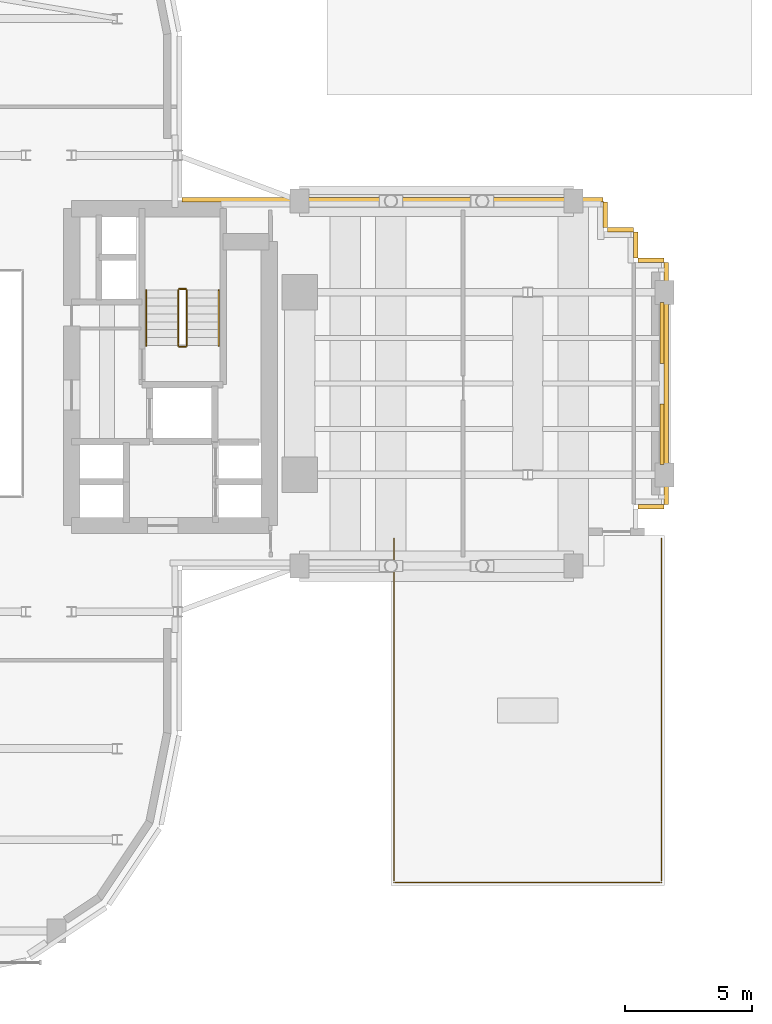
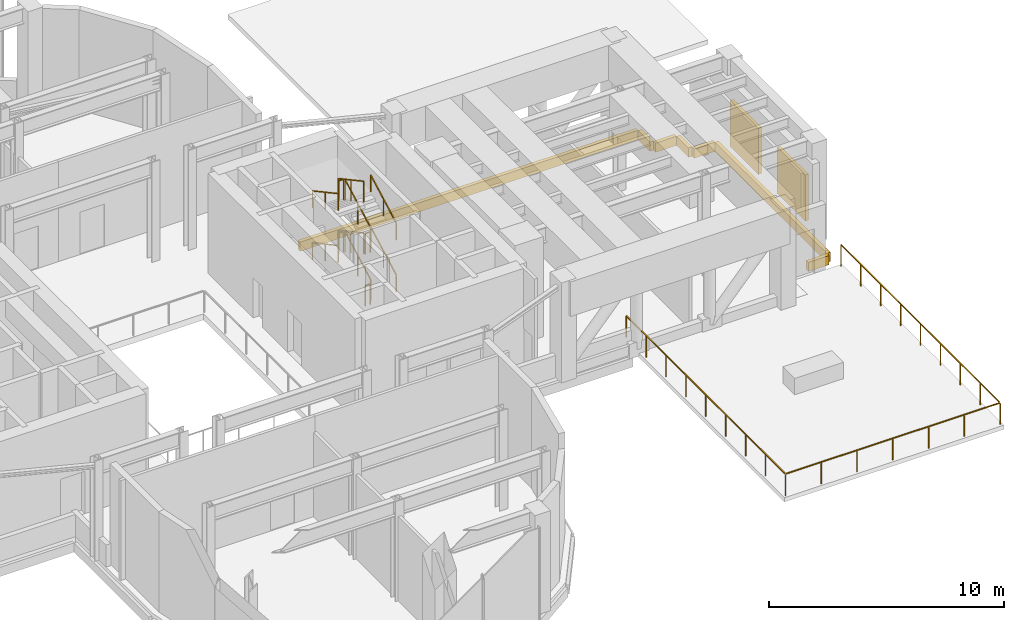
# One storey, part 14 of 16: 13 railings, 7 coverings, 2 shading devices.
"""IFC4 building model written with IfcOpenShell, lengths in metres."""

from ifc_helpers import new_model, si_unit, direction, frame, origin, origin_2d, place, context, subcontext, project, spatial, rectangle, extrude, source, transform, mapped, material, layer, layer_set, type_object, element, save


model = new_model("IFC4")

# Units and contexts
model_context = context("Model", 3, precision=1e-05, world=origin(), true_north=direction((0.0, 1.0)))
body_context = subcontext(model_context, "Body", "Model", "MODEL_VIEW")
ifc_project = project(units=[si_unit("LENGTHUNIT", "METRE"), si_unit("AREAUNIT", "SQUARE_METRE"), si_unit("VOLUMEUNIT", "CUBIC_METRE"), si_unit("PLANEANGLEUNIT", "RADIAN"), si_unit("MASSUNIT", "GRAM", prefix="KILO")], contexts=[model_context])

# Site, building, storey
site_placement = place(None, origin())
site = spatial("IfcSite", under=ifc_project, at=site_placement, CompositionType="ELEMENT")
building_placement = place(site_placement, origin())
building = spatial("IfcBuilding", under=site, at=building_placement, Name="Keilestroom Media Tower", CompositionType="ELEMENT")
storey_placement = place(building_placement, frame((0.0, 0.0, 25.199951171875)))
storey = spatial("IfcBuildingStorey", under=building, at=storey_placement, Name="L05", CompositionType="ELEMENT", Elevation=25.199951171875)

# Railings
ifc_material_1 = material(Name="Brushed Stainless Steel 1.4301", Category="steel")
railing_type_1 = type_object("IfcRailingType", Name="Stair-Pitch-Handrail-920", PredefinedType="HANDRAIL", material=ifc_material_1)
railing_1_placement = place(storey_placement, frame((11.2099609375, 1.5, 0.168701171875)))
element("IfcRailing", 1, at=railing_1_placement, inside=storey, type_object=railing_type_1, Name="L05 ST-2 stair handrail 1", PredefinedType="HANDRAIL", context=body_context, shape_type="SweptSolid", body=[
    extrude(rectangle(XDim=0.048095703125, YDim=0.048095703125, at=origin_2d()), frame((0.0, 0.0, 0.8759765625), z_axis=(0.0, 0.879569751981, 0.475769956387), x_axis=(-1.0, 0.0, 0.0)), (0.0, 0.0, 1.0), 2.483154296875),
    extrude(rectangle(XDim=0.0419921875, YDim=0.0419921875, at=origin_2d()), origin(), (0.0, 0.0, 1.0), 0.84375),
    extrude(rectangle(XDim=0.0419921875, YDim=0.0419921875, at=origin_2d()), frame((0.0, 1.092041015625, 0.5908203125)), (0.0, 0.0, 1.0), 0.84375),
    extrude(rectangle(XDim=0.0419921875, YDim=0.0419921875, at=origin_2d()), frame((0.0, 2.18408203125, 1.181396484375)), (0.0, 0.0, 1.0), 0.84375),
])
railing_2_placement = place(storey_placement, frame((8.35009765625, 3.68408203125, 1.518798828125)))
element("IfcRailing", 2, at=railing_2_placement, inside=storey, type_object=railing_type_1, Name="L05 ST-2 stair handrail 2", PredefinedType="HANDRAIL", context=body_context, shape_type="SweptSolid", body=[
    extrude(rectangle(XDim=0.048095703125, YDim=0.048095703125, at=origin_2d()), frame((0.0, 0.0, 0.8759765625), z_axis=(0.0, -0.879610894823, 0.475693886559), x_axis=(1.0, 0.0, 0.0)), (0.0, 0.0, 1.0), 2.48291015625),
    extrude(rectangle(XDim=0.0419921875, YDim=0.0419921875, at=origin_2d()), origin(), (0.0, 0.0, 1.0), 0.84375),
    extrude(rectangle(XDim=0.0419921875, YDim=0.0419921875, at=origin_2d()), frame((0.0, -1.092041015625, 0.590576171875)), (0.0, 0.0, 1.0), 0.84375),
    extrude(rectangle(XDim=0.0419921875, YDim=0.0419921875, at=origin_2d()), frame((0.0, -2.18408203125, 1.18115234375)), (0.0, 0.0, 1.0), 0.84375),
])
railing_3_placement = place(storey_placement, frame((11.2099609375, 1.5, 2.868896484375)))
element("IfcRailing", 3, at=railing_3_placement, inside=storey, type_object=railing_type_1, Name="L05 ST-2 stair handrail 3", PredefinedType="HANDRAIL", context=body_context, shape_type="SweptSolid", body=[
    extrude(rectangle(XDim=0.048095703125, YDim=0.048095703125, at=origin_2d()), frame((0.0, 0.0, 0.8759765625), z_axis=(0.0, 0.879610894823, 0.475693886559), x_axis=(-1.0, 0.0, 0.0)), (0.0, 0.0, 1.0), 2.48291015625),
    extrude(rectangle(XDim=0.0419921875, YDim=0.0419921875, at=origin_2d()), origin(), (0.0, 0.0, 1.0), 0.84375),
    extrude(rectangle(XDim=0.0419921875, YDim=0.0419921875, at=origin_2d()), frame((0.0, 1.092041015625, 0.590576171875)), (0.0, 0.0, 1.0), 0.84375),
    extrude(rectangle(XDim=0.0419921875, YDim=0.0419921875, at=origin_2d()), frame((0.0, 2.18408203125, 1.18115234375)), (0.0, 0.0, 1.0), 0.84375),
])
railing_4_placement = place(storey_placement, frame((8.35009765625, 3.68408203125, 4.21875)))
element("IfcRailing", 4, at=railing_4_placement, inside=storey, type_object=railing_type_1, Name="L05 ST-2 stair handrail 4", PredefinedType="HANDRAIL", context=body_context, shape_type="SweptSolid", body=[
    extrude(rectangle(XDim=0.048095703125, YDim=0.048095703125, at=origin_2d()), frame((0.0, 0.0, 0.8759765625), z_axis=(0.0, -0.879569751981, 0.475769956387), x_axis=(1.0, 0.0, 0.0)), (0.0, 0.0, 1.0), 2.483154296875),
    extrude(rectangle(XDim=0.0419921875, YDim=0.0419921875, at=origin_2d()), origin(), (0.0, 0.0, 1.0), 0.84375),
    extrude(rectangle(XDim=0.0419921875, YDim=0.0419921875, at=origin_2d()), frame((0.0, -1.092041015625, 0.5908203125)), (0.0, 0.0, 1.0), 0.84375),
    extrude(rectangle(XDim=0.0419921875, YDim=0.0419921875, at=origin_2d()), frame((0.0, -2.18408203125, 1.181396484375)), (0.0, 0.0, 1.0), 0.84375),
])
ifc_material_2 = material(Name="Painted Steel Balustrade", Category="steel")
railing_type_2 = type_object("IfcRailingType", Name="Stair-Well-And-Landing-Guard-1100", PredefinedType="GUARDRAIL", material=ifc_material_2)
railing_5_placement = place(storey_placement, frame((9.949951171875, 1.5, 0.168701171875)))
element("IfcRailing", 5, at=railing_5_placement, inside=storey, type_object=railing_type_2, Name="L05 ST-2 stair guard 1", PredefinedType="GUARDRAIL", context=body_context, shape_type="SweptSolid", body=[
    extrude(rectangle(XDim=0.048095703125, YDim=0.048095703125, at=origin_2d()), frame((0.0, 0.0, 1.076171875), z_axis=(0.0, 0.879569751981, 0.475769956387), x_axis=(-1.0, 0.0, 0.0)), (0.0, 0.0, 1.0), 2.483154296875),
    extrude(rectangle(XDim=0.0419921875, YDim=0.0419921875, at=origin_2d()), origin(), (0.0, 0.0, 1.0), 1.0439453125),
    extrude(rectangle(XDim=0.0419921875, YDim=0.0419921875, at=origin_2d()), frame((0.0, 1.092041015625, 0.5908203125)), (0.0, 0.0, 1.0), 1.0439453125),
    extrude(rectangle(XDim=0.0419921875, YDim=0.0419921875, at=origin_2d()), frame((0.0, 2.18408203125, 1.181396484375)), (0.0, 0.0, 1.0), 1.0439453125),
])
railing_6_placement = place(storey_placement, frame((9.89990234375, 3.73388671875, 1.35009765625)))
element("IfcRailing", 6, at=railing_6_placement, inside=storey, type_object=railing_type_2, Name="L05 ST-2 stair guard 2", PredefinedType="GUARDRAIL", context=body_context, shape_type="SweptSolid", body=[
    extrude(rectangle(XDim=0.048095703125, YDim=0.048095703125, at=origin_2d()), frame((0.0, 0.0, 1.076171875), z_axis=(-1.0, 0.0, 0.0), x_axis=(0.0, -1.0, 0.0)), (0.0, 0.0, 1.0), 0.239990234375),
    extrude(rectangle(XDim=0.0419921875, YDim=0.0419921875, at=origin_2d()), origin(), (0.0, 0.0, 1.0), 1.0439453125),
    extrude(rectangle(XDim=0.0419921875, YDim=0.0419921875, at=origin_2d()), frame((-0.239990234375, 0.0, 0.0)), (0.0, 0.0, 1.0), 1.0439453125),
])
railing_7_placement = place(storey_placement, frame((9.610107421875, 3.68408203125, 1.518798828125)))
element("IfcRailing", 7, at=railing_7_placement, inside=storey, type_object=railing_type_2, Name="L05 ST-2 stair guard 3", PredefinedType="GUARDRAIL", context=body_context, shape_type="SweptSolid", body=[
    extrude(rectangle(XDim=0.048095703125, YDim=0.048095703125, at=origin_2d()), frame((0.0, 0.0, 1.076171875), z_axis=(0.0, -0.879610894823, 0.475693886559), x_axis=(1.0, 0.0, 0.0)), (0.0, 0.0, 1.0), 2.48291015625),
    extrude(rectangle(XDim=0.0419921875, YDim=0.0419921875, at=origin_2d()), origin(), (0.0, 0.0, 1.0), 1.0439453125),
    extrude(rectangle(XDim=0.0419921875, YDim=0.0419921875, at=origin_2d()), frame((0.0, -1.092041015625, 0.590576171875)), (0.0, 0.0, 1.0), 1.0439453125),
    extrude(rectangle(XDim=0.0419921875, YDim=0.0419921875, at=origin_2d()), frame((0.0, -2.18408203125, 1.18115234375)), (0.0, 0.0, 1.0), 1.0439453125),
])
railing_8_placement = place(storey_placement, frame((9.89990234375, 1.449951171875, 2.699951171875)))
element("IfcRailing", 8, at=railing_8_placement, inside=storey, type_object=railing_type_2, Name="L05 ST-2 stair guard 4", PredefinedType="GUARDRAIL", context=body_context, shape_type="SweptSolid", body=[
    extrude(rectangle(XDim=0.048095703125, YDim=0.048095703125, at=origin_2d()), frame((0.0, 0.0, 1.076171875), z_axis=(-1.0, 0.0, 0.0), x_axis=(0.0, -1.0, 0.0)), (0.0, 0.0, 1.0), 0.239990234375),
    extrude(rectangle(XDim=0.0419921875, YDim=0.0419921875, at=origin_2d()), origin(), (0.0, 0.0, 1.0), 1.0439453125),
    extrude(rectangle(XDim=0.0419921875, YDim=0.0419921875, at=origin_2d()), frame((-0.239990234375, 0.0, 0.0)), (0.0, 0.0, 1.0), 1.0439453125),
])
railing_9_placement = place(storey_placement, frame((9.949951171875, 1.5, 2.868896484375)))
element("IfcRailing", 9, at=railing_9_placement, inside=storey, type_object=railing_type_2, Name="L05 ST-2 stair guard 5", PredefinedType="GUARDRAIL", context=body_context, shape_type="SweptSolid", body=[
    extrude(rectangle(XDim=0.048095703125, YDim=0.048095703125, at=origin_2d()), frame((0.0, 0.0, 1.076171875), z_axis=(0.0, 0.879610894823, 0.475693886559), x_axis=(-1.0, 0.0, 0.0)), (0.0, 0.0, 1.0), 2.48291015625),
    extrude(rectangle(XDim=0.0419921875, YDim=0.0419921875, at=origin_2d()), origin(), (0.0, 0.0, 1.0), 1.0439453125),
    extrude(rectangle(XDim=0.0419921875, YDim=0.0419921875, at=origin_2d()), frame((0.0, 1.092041015625, 0.590576171875)), (0.0, 0.0, 1.0), 1.0439453125),
    extrude(rectangle(XDim=0.0419921875, YDim=0.0419921875, at=origin_2d()), frame((0.0, 2.18408203125, 1.18115234375)), (0.0, 0.0, 1.0), 1.0439453125),
])
railing_10_placement = place(storey_placement, frame((9.89990234375, 3.73388671875, 4.050048828125)))
element("IfcRailing", 10, at=railing_10_placement, inside=storey, type_object=railing_type_2, Name="L05 ST-2 stair guard 6", PredefinedType="GUARDRAIL", context=body_context, shape_type="SweptSolid", body=[
    extrude(rectangle(XDim=0.048095703125, YDim=0.048095703125, at=origin_2d()), frame((0.0, 0.0, 1.076171875), z_axis=(-1.0, 0.0, 0.0), x_axis=(0.0, -1.0, 0.0)), (0.0, 0.0, 1.0), 0.239990234375),
    extrude(rectangle(XDim=0.0419921875, YDim=0.0419921875, at=origin_2d()), origin(), (0.0, 0.0, 1.0), 1.0439453125),
    extrude(rectangle(XDim=0.0419921875, YDim=0.0419921875, at=origin_2d()), frame((-0.239990234375, 0.0, 0.0)), (0.0, 0.0, 1.0), 1.0439453125),
])
railing_11_placement = place(storey_placement, frame((9.610107421875, 3.68408203125, 4.21875)))
element("IfcRailing", 11, at=railing_11_placement, inside=storey, type_object=railing_type_2, Name="L05 ST-2 stair guard 7", PredefinedType="GUARDRAIL", context=body_context, shape_type="SweptSolid", body=[
    extrude(rectangle(XDim=0.048095703125, YDim=0.048095703125, at=origin_2d()), frame((0.0, 0.0, 1.076171875), z_axis=(0.0, -0.879569751981, 0.475769956387), x_axis=(1.0, 0.0, 0.0)), (0.0, 0.0, 1.0), 2.483154296875),
    extrude(rectangle(XDim=0.0419921875, YDim=0.0419921875, at=origin_2d()), origin(), (0.0, 0.0, 1.0), 1.0439453125),
    extrude(rectangle(XDim=0.0419921875, YDim=0.0419921875, at=origin_2d()), frame((0.0, -1.092041015625, 0.5908203125)), (0.0, 0.0, 1.0), 1.0439453125),
    extrude(rectangle(XDim=0.0419921875, YDim=0.0419921875, at=origin_2d()), frame((0.0, -2.18408203125, 1.181396484375)), (0.0, 0.0, 1.0), 1.0439453125),
])
railing_12_placement = place(storey_placement, frame((9.89990234375, 1.449951171875, 0.0)))
element("IfcRailing", 12, at=railing_12_placement, inside=storey, type_object=railing_type_2, Name="L05 ST-2 stair guard 8", PredefinedType="GUARDRAIL", context=body_context, shape_type="SweptSolid", body=[
    extrude(rectangle(XDim=0.048095703125, YDim=0.048095703125, at=origin_2d()), frame((0.0, 0.0, 1.076171875), z_axis=(-1.0, 0.0, 0.0), x_axis=(0.0, -1.0, 0.0)), (0.0, 0.0, 1.0), 0.239990234375),
    extrude(rectangle(XDim=0.0419921875, YDim=0.0419921875, at=origin_2d()), origin(), (0.0, 0.0, 1.0), 1.0439453125),
    extrude(rectangle(XDim=0.0419921875, YDim=0.0419921875, at=origin_2d()), frame((-0.239990234375, 0.0, 0.0)), (0.0, 0.0, 1.0), 1.0439453125),
])
ifc_material_3 = material(Name="Laminated Safety Glass & Stainless Steel", Category="steel")
railing_type_3 = type_object("IfcRailingType", Name="Terrace-And-Atrium-Guard-Balustrade-GD-EXT", PredefinedType="BALUSTRADE", material=ifc_material_3)
railing_13_placement = place(storey_placement, frame((18.1201171875, -6.1201171875, 0.0)))
element("IfcRailing", 13, at=railing_13_placement, inside=storey, type_object=railing_type_3, Name="L05 Terrace Perimeter Guard POD-SE", PredefinedType="BALUSTRADE", context=body_context, shape_type="SweptSolid", body=[
    extrude(rectangle(XDim=0.048095703125, YDim=0.048095703125, at=origin_2d()), frame((0.0, 0.0, 1.1259765625), z_axis=(0.0, -1.0, 0.0), x_axis=(1.0, 0.0, 0.0)), (0.0, 0.0, 1.0), 13.51171875),
    extrude(rectangle(XDim=0.048095703125, YDim=0.048095703125, at=origin_2d()), frame((0.048095703125, -13.559814453125, 1.1259765625), z_axis=(1.0, 0.0, 0.0), x_axis=(0.0, 1.0, 0.0)), (0.0, 0.0, 1.0), 10.463623046875),
    extrude(rectangle(XDim=0.048095703125, YDim=0.048095703125, at=origin_2d()), frame((10.559814453125, -13.51171875, 1.1259765625), z_axis=(0.0, 1.0, 0.0), x_axis=(-1.0, 0.0, 0.0)), (0.0, 0.0, 1.0), 13.51171875),
    extrude(rectangle(XDim=0.0419921875, YDim=0.0419921875, at=origin_2d()), origin(), (0.0, 0.0, 1.0), 1.09375),
    extrude(rectangle(XDim=0.0419921875, YDim=0.0419921875, at=origin_2d()), frame((0.0, -1.695068359375, 0.0)), (0.0, 0.0, 1.0), 1.09375),
    extrude(rectangle(XDim=0.0419921875, YDim=0.0419921875, at=origin_2d()), frame((0.0, -3.389892578125, 0.0)), (0.0, 0.0, 1.0), 1.09375),
    extrude(rectangle(XDim=0.0419921875, YDim=0.0419921875, at=origin_2d()), frame((0.0, -5.0849609375, 0.0)), (0.0, 0.0, 1.0), 1.09375),
    extrude(rectangle(XDim=0.0419921875, YDim=0.0419921875, at=origin_2d()), frame((0.0, -6.77978515625, 0.0)), (0.0, 0.0, 1.0), 1.09375),
    extrude(rectangle(XDim=0.0419921875, YDim=0.0419921875, at=origin_2d()), frame((0.0, -8.474853515625, 0.0)), (0.0, 0.0, 1.0), 1.09375),
    extrude(rectangle(XDim=0.0419921875, YDim=0.0419921875, at=origin_2d()), frame((0.0, -10.169921875, 0.0)), (0.0, 0.0, 1.0), 1.09375),
    extrude(rectangle(XDim=0.0419921875, YDim=0.0419921875, at=origin_2d()), frame((0.0, -11.86474609375, 0.0)), (0.0, 0.0, 1.0), 1.09375),
    extrude(rectangle(XDim=0.0419921875, YDim=0.0419921875, at=origin_2d()), frame((0.0, -13.559814453125, 0.0)), (0.0, 0.0, 1.0), 1.09375),
    extrude(rectangle(XDim=0.0419921875, YDim=0.0419921875, at=origin_2d()), frame((1.760009765625, -13.559814453125, 0.0)), (0.0, 0.0, 1.0), 1.09375),
    extrude(rectangle(XDim=0.0419921875, YDim=0.0419921875, at=origin_2d()), frame((3.52001953125, -13.559814453125, 0.0)), (0.0, 0.0, 1.0), 1.09375),
    extrude(rectangle(XDim=0.0419921875, YDim=0.0419921875, at=origin_2d()), frame((5.27978515625, -13.559814453125, 0.0)), (0.0, 0.0, 1.0), 1.09375),
    extrude(rectangle(XDim=0.0419921875, YDim=0.0419921875, at=origin_2d()), frame((7.039794921875, -13.559814453125, 0.0)), (0.0, 0.0, 1.0), 1.09375),
    extrude(rectangle(XDim=0.0419921875, YDim=0.0419921875, at=origin_2d()), frame((8.7998046875, -13.559814453125, 0.0)), (0.0, 0.0, 1.0), 1.09375),
    extrude(rectangle(XDim=0.0419921875, YDim=0.0419921875, at=origin_2d()), frame((10.559814453125, -13.559814453125, 0.0)), (0.0, 0.0, 1.0), 1.09375),
    extrude(rectangle(XDim=0.0419921875, YDim=0.0419921875, at=origin_2d()), frame((10.559814453125, -11.86474609375, 0.0)), (0.0, 0.0, 1.0), 1.09375),
    extrude(rectangle(XDim=0.0419921875, YDim=0.0419921875, at=origin_2d()), frame((10.559814453125, -10.169921875, 0.0)), (0.0, 0.0, 1.0), 1.09375),
    extrude(rectangle(XDim=0.0419921875, YDim=0.0419921875, at=origin_2d()), frame((10.559814453125, -8.474853515625, 0.0)), (0.0, 0.0, 1.0), 1.09375),
    extrude(rectangle(XDim=0.0419921875, YDim=0.0419921875, at=origin_2d()), frame((10.559814453125, -6.77978515625, 0.0)), (0.0, 0.0, 1.0), 1.09375),
    extrude(rectangle(XDim=0.0419921875, YDim=0.0419921875, at=origin_2d()), frame((10.559814453125, -5.0849609375, 0.0)), (0.0, 0.0, 1.0), 1.09375),
    extrude(rectangle(XDim=0.0419921875, YDim=0.0419921875, at=origin_2d()), frame((10.559814453125, -3.389892578125, 0.0)), (0.0, 0.0, 1.0), 1.09375),
    extrude(rectangle(XDim=0.0419921875, YDim=0.0419921875, at=origin_2d()), frame((10.559814453125, -1.695068359375, 0.0)), (0.0, 0.0, 1.0), 1.09375),
    extrude(rectangle(XDim=0.0419921875, YDim=0.0419921875, at=origin_2d()), frame((10.559814453125, 0.0, 0.0)), (0.0, 0.0, 1.0), 1.09375),
])

# Shading devices
ifc_material_4 = material(Name="Bronze Anodised Aluminium", Category="aluminium")
ifc_layer_1 = layer(ifc_material_4, 0.159912109375)
ifc_layer_set_1 = layer_set([ifc_layer_1], Name="Bronze Anodised Aluminium")
shading_device_type = type_object("IfcShadingDeviceType", Name="Facade-Plant-Intake-Louvre-SHD-2", PredefinedType="USERDEFINED", material=ifc_layer_set_1)
shared_shape_1 = source(origin(), body_context, "Body", "SweptSolid", [
    extrude(rectangle(XDim=0.159912109375, YDim=2.39990234375, at=origin_2d()), origin(), (0.0, 0.0, 1.0), 2.39990234375),
])
for number, where, z_axis, x_axis, name in (
    (14, (28.68994140625, -2.0, 0.60009765625), (0.0, 0.0, 1.0), (1.0, 0.0, 0.0), "L05 Plant Intake Louvre E 03"),
    (15, (28.68994140625, 2.0, 0.60009765625), (0.0, 0.0, 1.0), (1.0, 0.0, 0.0), "L05 Plant Intake Louvre E 04"),
):
    element("IfcShadingDevice", number, at=place(storey_placement, frame(where, z_axis=z_axis, x_axis=x_axis)), inside=storey, type_object=shading_device_type, Name=name, ObjectType="LOUVER", PredefinedType="USERDEFINED", context=body_context, shape_type="MappedRepresentation", body=[
        mapped(shared_shape_1, transform((0.0, 0.0, 0.0), x_axis=(1.0, 0.0, 0.0), y_axis=(0.0, 1.0, 0.0), z_axis=(0.0, 0.0, 1.0), scale=1.0)),
    ])

# Coverings
ifc_material_5 = material(Name="Precast concrete C40/50", Category="concrete")
ifc_layer_2 = layer(ifc_material_5, 0.1201171875)
ifc_layer_set_2 = layer_set([ifc_layer_2], Name="Precast concrete C40/50")
covering_type = type_object("IfcCoveringType", Name="Exterior-Precast-Spandrel-Cladding-Panel-120", PredefinedType="CLADDING", material=ifc_layer_set_2)
shared_shape_2 = source(origin(), body_context, "Body", "SweptSolid", [
    extrude(rectangle(XDim=1.02001953125, YDim=0.179931640625, at=origin_2d()), origin(), (0.0, 0.0, 1.0), 0.47998046875),
])
for number, where, z_axis, x_axis, name in (
    (16, (28.260009765625, -4.860107421875, -0.659912109375), (0.0, 0.0, 1.0), (-1.0, 0.0, 0.0), "L05 Precast Slab-Edge Fascia Cornice 01"),
    (17, (26.4599609375, 6.659912109375, -0.659912109375), (0.0, 0.0, 1.0), (0.0, -1.0, 0.0), "L05 Precast Slab-Edge Fascia Cornice 34"),
    (18, (27.06005859375, 6.06005859375, -0.659912109375), (0.0, 0.0, 1.0), (1.0, 0.0, 0.0), "L05 Precast Slab-Edge Fascia Cornice 35"),
    (19, (27.659912109375, 5.4599609375, -0.659912109375), (0.0, 0.0, 1.0), (0.0, -1.0, 0.0), "L05 Precast Slab-Edge Fascia Cornice 36"),
    (20, (28.260009765625, 4.860107421875, -0.659912109375), (0.0, 0.0, 1.0), (1.0, 0.0, 0.0), "L05 Precast Slab-Edge Fascia Cornice 37"),
):
    element("IfcCovering", number, at=place(storey_placement, frame(where, z_axis=z_axis, x_axis=x_axis)), inside=storey, type_object=covering_type, Name=name, PredefinedType="CLADDING", context=body_context, shape_type="MappedRepresentation", body=[
        mapped(shared_shape_2, transform((0.0, 0.0, 0.0), x_axis=(1.0, 0.0, 0.0), y_axis=(0.0, 1.0, 0.0), z_axis=(0.0, 0.0, 1.0), scale=1.0)),
    ])
shared_shape_3 = source(origin(), body_context, "Body", "SweptSolid", [
    extrude(rectangle(XDim=9.5400390625, YDim=0.179931640625, at=origin_2d()), origin(), (0.0, 0.0, 1.0), 0.47998046875),
])
covering_1_placement = place(storey_placement, frame((28.860107421875, 0.0, -0.659912109375), z_axis=(0.0, 0.0, 1.0), x_axis=(0.0, -1.0, 0.0)))
element("IfcCovering", 21, at=covering_1_placement, inside=storey, type_object=covering_type, Name="L05 Precast Slab-Edge Fascia Cornice 38", PredefinedType="CLADDING", context=body_context, shape_type="MappedRepresentation", body=[
    mapped(shared_shape_3, transform((0.0, 0.0, 0.0), x_axis=(1.0, 0.0, 0.0), y_axis=(0.0, 1.0, 0.0), z_axis=(0.0, 0.0, 1.0), scale=1.0)),
])
shared_shape_4 = source(origin(), body_context, "Body", "SweptSolid", [
    extrude(rectangle(XDim=16.6201171875, YDim=0.179931640625, at=origin_2d()), origin(), (0.0, 0.0, 1.0), 0.47998046875),
])
covering_2_placement = place(storey_placement, frame((18.06005859375, 7.260009765625, -0.659912109375), z_axis=(0.0, 0.0, 1.0), x_axis=(1.0, 0.0, 0.0)))
element("IfcCovering", 22, at=covering_2_placement, inside=storey, type_object=covering_type, Name="L05 Precast Slab-Edge Fascia Cornice 33", PredefinedType="CLADDING", context=body_context, shape_type="MappedRepresentation", body=[
    mapped(shared_shape_4, transform((0.0, 0.0, 0.0), x_axis=(1.0, 0.0, 0.0), y_axis=(0.0, 1.0, 0.0), z_axis=(0.0, 0.0, 1.0), scale=1.0)),
])

save(model, "model.ifc")
